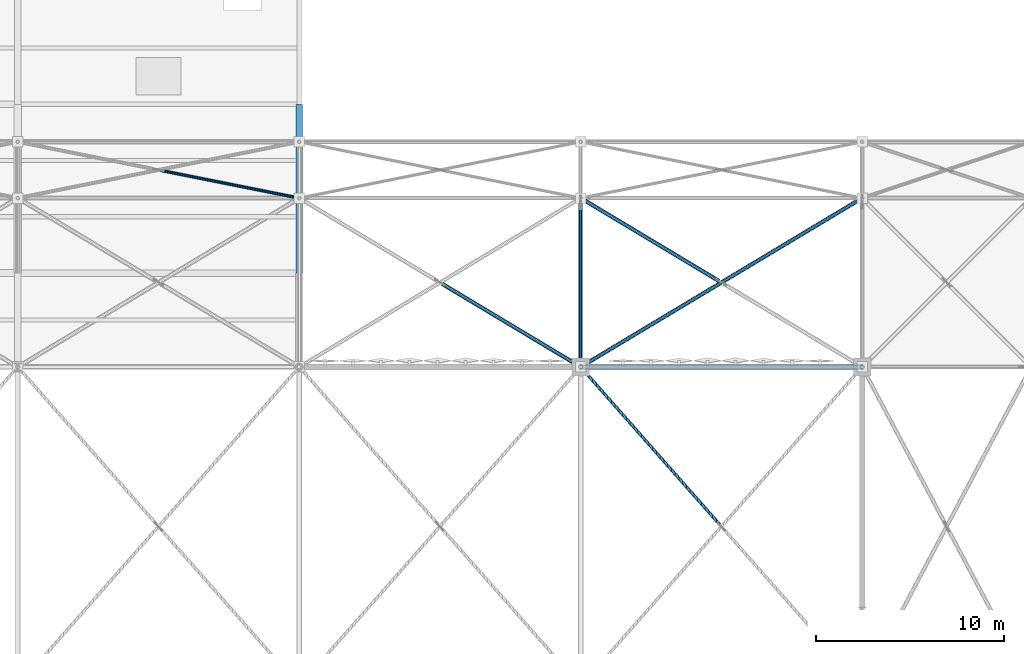
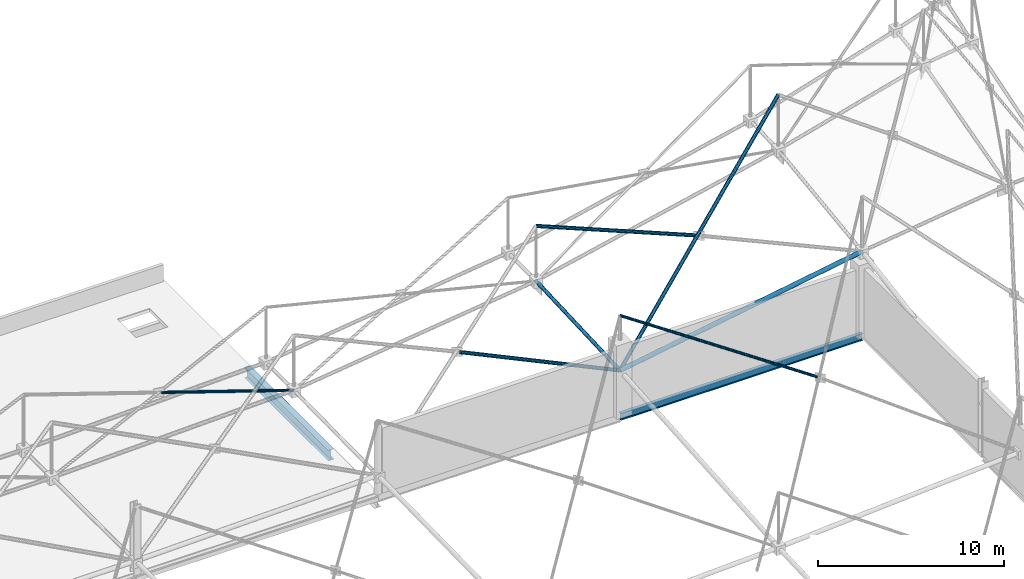
# One storey, part 118 of 224: 7 members, 2 beams.
"""IFC4 building model written with IfcOpenShell, lengths in metres."""

from ifc_helpers import new_model, si_unit, direction, frame, origin, origin_2d, place, context, subcontext, project, spatial, hollow_circle, i_section, extrude, material, material_profile, profile_set, type_object, element, save


model = new_model("IFC4")

# Units and contexts
model_context = context("Model", 3, precision=1e-05, world=origin(), true_north=direction((0.0, 1.0)))
body_context = subcontext(model_context, "Body", "Model", "MODEL_VIEW")
ifc_project = project(units=[si_unit("LENGTHUNIT", "METRE"), si_unit("AREAUNIT", "SQUARE_METRE"), si_unit("VOLUMEUNIT", "CUBIC_METRE"), si_unit("PLANEANGLEUNIT", "RADIAN"), si_unit("MASSUNIT", "GRAM", prefix="KILO")], contexts=[model_context])

# Site, building, storey
site_placement = place(None, origin())
site = spatial("IfcSite", under=ifc_project, at=site_placement, CompositionType="ELEMENT")
building_placement = place(site_placement, origin())
building = spatial("IfcBuilding", under=site, at=building_placement, Name="Qamarlyn Nura Convention Centre", CompositionType="ELEMENT")
storey_placement = place(building_placement, frame((0.0, 0.0, 10.800048828125)))
storey = spatial("IfcBuildingStorey", under=building, at=storey_placement, Name="L02", CompositionType="ELEMENT", Elevation=10.800048828125)

# Beams
ifc_material_1 = material(Name="Steel ASTM A992", Category="steel")
ifc_material_profile_1 = material_profile(ifc_material_1, i_section(OverallWidth=0.35498046875, OverallDepth=0.695068359375, WebThickness=0.015380859375, FlangeThickness=0.02490234375, FilletRadius=0.01806640625, at=origin_2d()), Name="W690X217")
ifc_profile_set_1 = profile_set([ifc_material_profile_1], Name="Steel ASTM A992")
beam_type_1 = type_object("IfcBeamType", Name="BM-GIRD-690A", PredefinedType="BEAM", material=ifc_profile_set_1)
beam_1_placement = place(storey_placement, frame((90.0, 108.0, -0.54248046875), z_axis=(0.0, 1.0, 0.0), x_axis=(-1.0, 0.0, 0.0)))
element("IfcBeam", 1, at=beam_1_placement, inside=storey, type_object=beam_type_1, Name="L02 girder 7 N-P", PredefinedType="BEAM", context=body_context, shape_type="SweptSolid", body=[
    extrude(i_section(OverallWidth=0.35498046875, OverallDepth=0.695068359375, WebThickness=0.015380859375, FlangeThickness=0.02490234375, FilletRadius=0.01806640625, at=origin_2d()), origin(), (0.0, 0.0, 1.0), 9.0),
])
ifc_material_profile_2 = material_profile(ifc_material_1, i_section(OverallWidth=0.193115234375, OverallDepth=0.466064453125, WebThickness=0.011474609375, FlangeThickness=0.01904296875, FilletRadius=0.012939453125, at=origin_2d()), Name="W460X97")
ifc_profile_set_2 = profile_set([ifc_material_profile_2], Name="Steel ASTM A992")
beam_type_2 = type_object("IfcBeamType", Name="BM-SPAN-460", PredefinedType="SPANDREL", material=ifc_profile_set_2)
beam_2_placement = place(storey_placement, frame((105.0, 103.0, -0.233154296875), z_axis=(1.0, 0.0, 0.0), x_axis=(0.0, 1.0, 0.0)))
element("IfcBeam", 2, at=beam_2_placement, inside=storey, type_object=beam_type_2, Name="L02 girder M 8-9", PredefinedType="SPANDREL", context=body_context, shape_type="SweptSolid", body=[
    extrude(i_section(OverallWidth=0.193115234375, OverallDepth=0.466064453125, WebThickness=0.011474609375, FlangeThickness=0.01904296875, FilletRadius=0.012939453125, at=origin_2d()), origin(), (0.0, 0.0, 1.0), 15.0),
])

# Members
ifc_material_2 = material(Name="Pearl-white PVDF steel ASTM A500 Grade C", Category="steel")
ifc_material_profile_3 = material_profile(ifc_material_2, hollow_circle(Radius=0.109619140625, WallThickness=0.010009765625, at=origin_2d()), Name="CHS219.1X10")
ifc_profile_set_3 = profile_set([ifc_material_profile_3], Name="Pearl-white PVDF steel ASTM A500 Grade C")
member_type_1 = type_object("IfcMemberType", Name="SF-BC-EAVE", PredefinedType="CHORD", material=ifc_profile_set_3)
member_1_placement = place(storey_placement, frame((105.0, 103.0, 2.7685546875), z_axis=(0.0, 0.9990034417, 0.044633210408), x_axis=(-1.0, 0.0, 0.0)))
element("IfcMember", 3, at=member_1_placement, inside=storey, type_object=member_type_1, Name="ROOF TRUSS space frame bottom chord Y9-7", PredefinedType="CHORD", context=body_context, shape_type="SweptSolid", body=[
    extrude(hollow_circle(Radius=0.109619140625, WallThickness=0.010009765625, at=origin_2d()), origin(), (0.0, 0.0, 1.0), 9.009033203125),
])
ifc_material_profile_4 = material_profile(ifc_material_2, hollow_circle(Radius=0.136474609375, WallThickness=0.012451171875, at=origin_2d()), Name="CHS273X12.5")
ifc_profile_set_4 = profile_set([ifc_material_profile_4], Name="Pearl-white PVDF steel ASTM A500 Grade C")
member_type_2 = type_object("IfcMemberType", Name="SF-BC-MAIN", PredefinedType="CHORD", material=ifc_profile_set_4)
member_2_placement = place(storey_placement, frame((105.0, 103.0, 2.7685546875), z_axis=(0.985903000709, 0.0, 0.167317880671), x_axis=(0.0, 1.0, 0.0)))
element("IfcMember", 4, at=member_2_placement, inside=storey, type_object=member_type_2, Name="ROOF TRUSS space frame bottom chord X9-7", PredefinedType="CHORD", context=body_context, shape_type="SweptSolid", body=[
    extrude(hollow_circle(Radius=0.136474609375, WallThickness=0.012451171875, at=origin_2d()), origin(), (0.0, 0.0, 1.0), 15.214599609375),
])
ifc_material_profile_5 = material_profile(ifc_material_2, hollow_circle(Radius=0.109619140625, WallThickness=0.010009765625, at=origin_2d()), Name="CHS219.1X10")
ifc_profile_set_5 = profile_set([ifc_material_profile_5], Name="Pearl-white PVDF steel ASTM A500 Grade C")
member_type_3 = type_object("IfcMemberType", Name="SF-WEB-HVY", PredefinedType="BRACE", material=ifc_profile_set_5)
member_3_placement = place(storey_placement, frame((105.0, 103.0, 2.7685546875), z_axis=(-0.850534057202, 0.510314807608, 0.12716373176), x_axis=(-0.514491584269, -0.857495428394, 0.0)))
element("IfcMember", 5, at=member_3_placement, inside=storey, type_object=member_type_3, Name="ROOF TRUSS space frame split diagonal B1 8-7", PredefinedType="BRACE", context=body_context, shape_type="SweptSolid", body=[
    extrude(hollow_circle(Radius=0.109619140625, WallThickness=0.010009765625, at=origin_2d()), origin(), (0.0, 0.0, 1.0), 8.677978515625),
])
member_4_placement = place(storey_placement, frame((105.0, 103.0, 2.7685546875), z_axis=(0.79075186859, 0.474451121154, 0.386791437284), x_axis=(-0.514495755428, 0.857492925713, 0.0)))
element("IfcMember", 6, at=member_4_placement, inside=storey, type_object=member_type_3, Name="ROOF TRUSS space frame diagonal A 9-7", PredefinedType="BRACE", context=body_context, shape_type="SweptSolid", body=[
    extrude(hollow_circle(Radius=0.109619140625, WallThickness=0.010009765625, at=origin_2d()), origin(), (0.0, 0.0, 1.0), 18.96923828125),
])
member_5_placement = place(storey_placement, frame((112.38037109375, 107.57177734375, 6.25146484375), z_axis=(-0.855937929705, 0.513562757823, 0.060195965549), x_axis=(-0.514495755428, -0.857492925713, 0.0)))
element("IfcMember", 7, at=member_5_placement, inside=storey, type_object=member_type_3, Name="ROOF TRUSS space frame split diagonal B2 9-7", PredefinedType="BRACE", context=body_context, shape_type="SweptSolid", body=[
    extrude(hollow_circle(Radius=0.109619140625, WallThickness=0.010009765625, at=origin_2d()), origin(), (0.0, 0.0, 1.0), 8.62255859375),
])
ifc_material_profile_6 = material_profile(ifc_material_2, hollow_circle(Radius=0.084228515625, WallThickness=0.008056640625, at=origin_2d()), Name="CHS168.3X8")
ifc_profile_set_6 = profile_set([ifc_material_profile_6], Name="Pearl-white PVDF steel ASTM A500 Grade C")
member_type_4 = type_object("IfcMemberType", Name="SF-WEB-STD", PredefinedType="BRACE", material=ifc_profile_set_6)
member_6_placement = place(storey_placement, frame((90.0, 112.0, 1.265625), z_axis=(-0.960572584032, 0.192120884751, 0.200972327568), x_axis=(-0.196122385688, -0.98057942556, 0.0)))
element("IfcMember", 8, at=member_6_placement, inside=storey, type_object=member_type_4, Name="ROOF TRUSS space frame split diagonal B1 7-8", PredefinedType="BRACE", context=body_context, shape_type="SweptSolid", body=[
    extrude(hollow_circle(Radius=0.084228515625, WallThickness=0.008056640625, at=origin_2d()), origin(), (0.0, 0.0, 1.0), 7.667724609375),
])
member_7_placement = place(storey_placement, frame((112.40869140625, 94.603515625, 4.83544921875), z_axis=(-0.655507131019, 0.742905201674, 0.135654939129), x_axis=(-0.749836582836, -0.661623079284, 0.0)))
element("IfcMember", 9, at=member_7_placement, inside=storey, type_object=member_type_4, Name="ROOF TRUSS space frame split diagonal B2 9-6", PredefinedType="BRACE", context=body_context, shape_type="SweptSolid", body=[
    extrude(hollow_circle(Radius=0.084228515625, WallThickness=0.008056640625, at=origin_2d()), origin(), (0.0, 0.0, 1.0), 11.30224609375),
])

save(model, "model.ifc")
